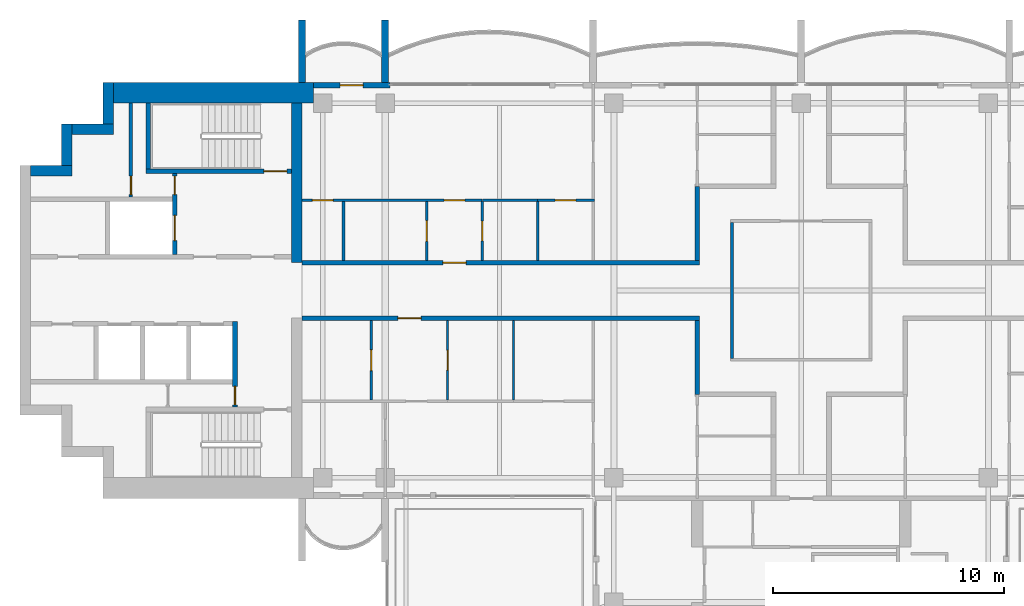
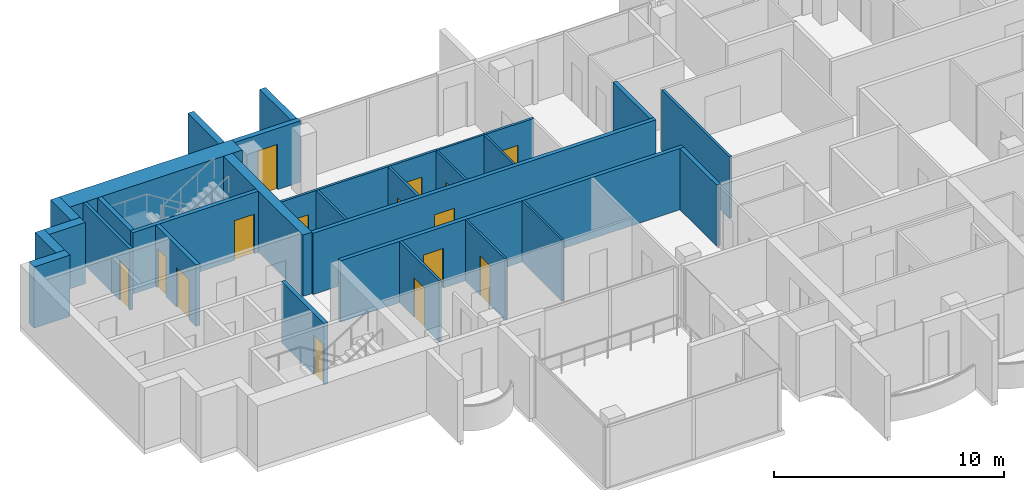
# One storey, part 8 of 16: 29 walls, 15 doors, 15 openings.
"""IFC4 building model written with IfcOpenShell, lengths in metres."""

from ifc_helpers import new_model, si_unit, direction, frame, frame_2d, origin, place, context, subcontext, project, spatial, rectangle, extrude, material, layer, layer_set, type_object, element, fill, save


model = new_model("IFC4")

# Units and contexts
model_context = context("Model", 3, precision=1e-05, world=origin(), true_north=direction((0.0, 1.0)))
body_context = subcontext(model_context, "Body", "Model", "MODEL_VIEW")
ifc_project = project(units=[si_unit("LENGTHUNIT", "METRE"), si_unit("AREAUNIT", "SQUARE_METRE"), si_unit("VOLUMEUNIT", "CUBIC_METRE"), si_unit("PLANEANGLEUNIT", "RADIAN"), si_unit("MASSUNIT", "GRAM", prefix="KILO")], contexts=[model_context])

# Site, building, storey
site_placement = place(None, origin())
site = spatial("IfcSite", under=ifc_project, at=site_placement, CompositionType="ELEMENT")
building_placement = place(site_placement, origin())
building = spatial("IfcBuilding", under=site, at=building_placement, Name="Perihelion Cross Residences", CompositionType="ELEMENT")
storey_placement = place(building_placement, frame((0.0, 0.0, 257.0)))
storey = spatial("IfcBuildingStorey", under=building, at=storey_placement, Name="L65", CompositionType="ELEMENT", Elevation=257.0)

# Wall, opening, door
ifc_material_1 = material(Name="Plasterboard partition")
ifc_layer_1 = layer(ifc_material_1, 0.199951171875)
ifc_layer_set_1 = layer_set([ifc_layer_1], Name="Apartment separation wall 200")
wall_type_1 = type_object("IfcWallType", Name="Apartment separation wall 200", PredefinedType="PARTITIONING", material=ifc_layer_set_1)
wall_1_placement = place(storey_placement, frame((-21.60009765625, 1.199951171875, 0.0), z_axis=(0.0, 0.0, 1.0), x_axis=(1.0, 0.0, 0.0)))
wall_1 = element("IfcWall", 1, at=wall_1_placement, inside=storey, type_object=wall_type_1, Name="Partition L65 W013", PredefinedType="PARTITIONING", context=body_context, shape_type="SweptSolid", body=[
    extrude(rectangle(XDim=17.2001953125, YDim=0.199951171875, at=frame_2d((8.60009765625, 0.0))), origin(), (0.0, 0.0, 1.0), 3.25),
])
opening_1_placement = place(wall_1_placement, frame((6.10009765625, 0.0, 0.0)))
opening_1 = element("IfcOpeningElement", 2, at=opening_1_placement, cuts=wall_1, Name="Opening L65.A42", PredefinedType="OPENING", context=body_context, shape_type="SweptSolid", body=[
    extrude(rectangle(XDim=1.0, YDim=2.10009765625, at=frame_2d((0.5, 1.050048828125))), frame((0.0, 0.10986328125, 0.0), z_axis=(0.0, -1.0, 0.0), x_axis=(1.0, 0.0, 0.0)), (0.0, 0.0, 1.0), 0.219970703125),
])
ifc_material_2 = material(Name="Timber door leaf", Category="wood")
door_type_1 = type_object("IfcDoorType", Name="Flat entrance door 1000 x 2100", OperationType="SINGLE_SWING_LEFT", PredefinedType="DOOR", material=ifc_material_2)
door_1_placement = place(opening_1_placement, origin())
door_1 = element("IfcDoor", 3, at=door_1_placement, inside=storey, type_object=door_type_1, Name="Door L65.A42", OperationType="SINGLE_SWING_RIGHT", OverallHeight=2.10009765625, OverallWidth=1.0, PredefinedType="DOOR", context=body_context, shape_type="SweptSolid", body=[
    extrude(rectangle(XDim=1.0, YDim=2.10009765625, at=frame_2d((0.5, 1.050048828125))), frame((0.0, 0.02490234375, 0.0), z_axis=(0.0, -1.0, 0.0), x_axis=(1.0, 0.0, 0.0)), (0.0, 0.0, 1.0), 0.050048828125),
])
fill(opening_1, door_1)

# Wall
wall_2_placement = place(storey_placement, frame((-4.5, 1.300048828125, 0.0), z_axis=(0.0, 0.0, 1.0), x_axis=(0.0, 1.0, 0.0)))
element("IfcWall", 4, at=wall_2_placement, inside=storey, type_object=wall_type_1, Name="Partition L65 W014", PredefinedType="PARTITIONING", context=body_context, shape_type="SweptSolid", body=[
    extrude(rectangle(XDim=3.199951171875, YDim=0.199951171875, at=frame_2d((1.60009765625, 0.0))), origin(), (0.0, 0.0, 1.0), 3.25),
])

# Wall, opening, door
wall_3_placement = place(storey_placement, frame((-4.39990234375, -1.199951171875, 0.0), z_axis=(0.0, 0.0, 1.0), x_axis=(-1.0, 0.0, 0.0)))
wall_3 = element("IfcWall", 5, at=wall_3_placement, inside=storey, type_object=wall_type_1, Name="Partition L65 W017", PredefinedType="PARTITIONING", context=body_context, shape_type="SweptSolid", body=[
    extrude(rectangle(XDim=17.2001953125, YDim=0.199951171875, at=frame_2d((8.60009765625, 0.0))), origin(), (0.0, 0.0, 1.0), 3.25),
])
opening_2_placement = place(wall_3_placement, frame((12.050048828125, 0.0, 0.0)))
opening_2 = element("IfcOpeningElement", 6, at=opening_2_placement, cuts=wall_3, Name="Opening L65.A43", PredefinedType="OPENING", context=body_context, shape_type="SweptSolid", body=[
    extrude(rectangle(XDim=1.0, YDim=2.10009765625, at=frame_2d((0.5, 1.050048828125))), frame((0.0, 0.10986328125, 0.0), z_axis=(0.0, -1.0, 0.0), x_axis=(1.0, 0.0, 0.0)), (0.0, 0.0, 1.0), 0.219970703125),
])
door_2_placement = place(opening_2_placement, origin())
door_2 = element("IfcDoor", 7, at=door_2_placement, inside=storey, type_object=door_type_1, Name="Door L65.A43", OperationType="SINGLE_SWING_RIGHT", OverallHeight=2.10009765625, OverallWidth=1.0, PredefinedType="DOOR", context=body_context, shape_type="SweptSolid", body=[
    extrude(rectangle(XDim=1.0, YDim=2.10009765625, at=frame_2d((0.5, 1.050048828125))), frame((0.0, 0.02490234375, 0.0), z_axis=(0.0, -1.0, 0.0), x_axis=(1.0, 0.0, 0.0)), (0.0, 0.0, 1.0), 0.050048828125),
])
fill(opening_2, door_2)

# Wall
wall_4_placement = place(storey_placement, frame((-4.5, -4.5, 0.0), z_axis=(0.0, 0.0, 1.0), x_axis=(0.0, 1.0, 0.0)))
element("IfcWall", 8, at=wall_4_placement, inside=storey, type_object=wall_type_1, Name="Partition L65 W018", PredefinedType="PARTITIONING", context=body_context, shape_type="SweptSolid", body=[
    extrude(rectangle(XDim=3.199951171875, YDim=0.199951171875, at=frame_2d((1.60009765625, 0.0))), origin(), (0.0, 0.0, 1.0), 3.25),
])

# Wall, opening, door
ifc_material_3 = material(Name="Concrete C30/37, bronze-clad", Category="concrete")
ifc_layer_2 = layer(ifc_material_3, 0.25)
ifc_layer_set_2 = layer_set([ifc_layer_2], Name="Bronze-clad pier wall 250")
wall_type_2 = type_object("IfcWallType", Name="Bronze-clad pier wall 250", PredefinedType="SOLIDWALL", material=ifc_layer_set_2)
wall_5_placement = place(storey_placement, frame((-17.800048828125, 8.875, 0.0), z_axis=(0.0, 0.0, 1.0), x_axis=(-1.0, 0.0, 0.0)))
wall_5 = element("IfcWall", 9, at=wall_5_placement, inside=storey, type_object=wall_type_2, Name="Wall FW1 L65 west side north bay 2 pier", PredefinedType="SOLIDWALL", context=body_context, shape_type="SweptSolid", body=[
    extrude(rectangle(XDim=3.300048828125, YDim=0.25, at=frame_2d((1.64990234375, 0.0))), origin(), (0.0, 0.0, 1.0), 3.25),
])
opening_3_placement = place(wall_5_placement, frame((1.14990234375, 0.0, 0.0)))
opening_3 = element("IfcOpeningElement", 10, at=opening_3_placement, cuts=wall_5, Name="Opening L65.E06", PredefinedType="OPENING", context=body_context, shape_type="SweptSolid", body=[
    extrude(rectangle(XDim=1.0, YDim=2.39990234375, at=frame_2d((0.5, 1.199951171875))), frame((0.0, 0.135009765625, 0.0), z_axis=(0.0, -1.0, 0.0), x_axis=(1.0, 0.0, 0.0)), (0.0, 0.0, 1.0), 0.27001953125),
])
ifc_material_4 = material(Name="Bronze anodised aluminium, glazed", Category="aluminium")
door_type_2 = type_object("IfcDoorType", Name="Balcony door 1000 x 2400", OperationType="NOTDEFINED", PredefinedType="DOOR", material=ifc_material_4)
door_3_placement = place(opening_3_placement, origin())
door_3 = element("IfcDoor", 11, at=door_3_placement, inside=storey, type_object=door_type_2, Name="Door L65.E06 west side north bay 2", OperationType="SINGLE_SWING_RIGHT", OverallHeight=2.39990234375, OverallWidth=1.0, PredefinedType="DOOR", context=body_context, shape_type="SweptSolid", body=[
    extrude(rectangle(XDim=1.0, YDim=2.39990234375, at=frame_2d((0.5, 1.199951171875))), frame((0.0, 0.02490234375, 0.0), z_axis=(0.0, -1.0, 0.0), x_axis=(1.0, 0.0, 0.0)), (0.0, 0.0, 1.0), 0.050048828125),
])
fill(opening_3, door_3)

# Walls
ifc_material_5 = material(Name="Concrete C60/75", Category="concrete")
ifc_layer_3 = layer(ifc_material_5, 0.449951171875)
ifc_layer_set_3 = layer_set([ifc_layer_3], Name="Core wall, inner 450")
wall_type_3 = type_object("IfcWallType", Name="Core wall, inner 450", PredefinedType="SHEAR", material=ifc_layer_set_3)
wall_6_placement = place(storey_placement, frame((-21.824951171875, 1.199951171875, 0.0), z_axis=(0.0, 0.0, 1.0), x_axis=(0.0, 1.0, 0.0)))
element("IfcWall", 12, at=wall_6_placement, inside=storey, type_object=wall_type_3, Name="West core core wall, inner", PredefinedType="SHEAR", context=body_context, shape_type="SweptSolid", body=[
    extrude(rectangle(XDim=6.900146484375, YDim=0.449951171875, at=frame_2d((3.4501953125, 0.0))), origin(), (0.0, 0.0, 1.0), 3.25),
])
ifc_material_6 = material(Name="Concrete C60/75", Category="concrete")
ifc_layer_4 = layer(ifc_material_6, 0.449951171875)
ifc_layer_set_4 = layer_set([ifc_layer_4], Name="Core wall, outer 450")
wall_type_4 = type_object("IfcWallType", Name="Core wall, outer 450", PredefinedType="SHEAR", material=ifc_layer_set_4)
for number, where, z_axis, x_axis, name in (
    (13, (-33.35009765625, 5.175048828125, 0.0), (0.0, 0.0, 1.0), (1.0, 0.0, 0.0), "West core core wall, outer"),
    (14, (-31.77490234375, 5.39990234375, 0.0), (0.0, 0.0, 1.0), (0.0, 1.0, 0.0), "West core core wall, outer"),
    (15, (-31.550048828125, 6.97509765625, 0.0), (0.0, 0.0, 1.0), (1.0, 0.0, 0.0), "West core core wall, outer"),
    (16, (-29.97509765625, 7.199951171875, 0.0), (0.0, 0.0, 1.0), (0.0, 1.0, 0.0), "West core core wall, outer"),
):
    element("IfcWall", number, at=place(storey_placement, frame(where, z_axis=z_axis, x_axis=x_axis)), inside=storey, type_object=wall_type_4, Name=name, PredefinedType="SHEAR", context=body_context, shape_type="SweptSolid", body=[
        extrude(rectangle(XDim=1.800048828125, YDim=0.449951171875, at=frame_2d((0.89990234375, 0.0))), origin(), (0.0, 0.0, 1.0), 3.25),
    ])
ifc_material_7 = material(Name="Concrete C60/75", Category="concrete")
ifc_layer_5 = layer(ifc_material_7, 0.89990234375)
ifc_layer_set_5 = layer_set([ifc_layer_5], Name="Core wall, outer 900")
wall_type_5 = type_object("IfcWallType", Name="Core wall, outer 900", PredefinedType="SHEAR", material=ifc_layer_set_5)
wall_7_placement = place(storey_placement, frame((-29.75, 8.550048828125, 0.0), z_axis=(0.0, 0.0, 1.0), x_axis=(1.0, 0.0, 0.0)))
element("IfcWall", 17, at=wall_7_placement, inside=storey, type_object=wall_type_5, Name="West core core wall, outer", PredefinedType="SHEAR", context=body_context, shape_type="SweptSolid", body=[
    extrude(rectangle(XDim=8.64990234375, YDim=0.89990234375, at=frame_2d((4.324951171875, 0.0))), origin(), (0.0, 0.0, 1.0), 3.25),
])

# Wall, opening, door
ifc_material_8 = material(Name="Concrete C50/60", Category="concrete")
ifc_layer_6 = layer(ifc_material_8, 0.199951171875)
ifc_layer_set_6 = layer_set([ifc_layer_6], Name="Lobby wall 200")
wall_type_6 = type_object("IfcWallType", Name="Lobby wall 200", PredefinedType="SOLIDWALL", material=ifc_layer_set_6)
wall_8_placement = place(storey_placement, frame((-24.5, -5.050048828125, 0.0), z_axis=(0.0, 0.0, 1.0), x_axis=(0.0, 1.0, 0.0)))
wall_8 = element("IfcWall", 18, at=wall_8_placement, inside=storey, type_object=wall_type_6, Name="West core lobby wall", PredefinedType="SOLIDWALL", context=body_context, shape_type="SweptSolid", body=[
    extrude(rectangle(XDim=3.699951171875, YDim=0.199951171875, at=frame_2d((1.85009765625, 0.0))), origin(), (0.0, 0.0, 1.0), 3.25),
])
opening_4_placement = place(wall_8_placement, frame((0.10009765625, 0.0, 0.0)))
opening_4 = element("IfcOpeningElement", 19, at=opening_4_placement, cuts=wall_8, Name="Opening L65.C22", PredefinedType="OPENING", context=body_context, shape_type="SweptSolid", body=[
    extrude(rectangle(XDim=0.800048828125, YDim=2.10009765625, at=frame_2d((0.39990234375, 1.050048828125))), frame((0.0, 0.10986328125, 0.0), z_axis=(0.0, -1.0, 0.0), x_axis=(1.0, 0.0, 0.0)), (0.0, 0.0, 1.0), 0.219970703125),
])
ifc_material_9 = material(Name="Steel, powder coated", Category="steel")
door_type_3 = type_object("IfcDoorType", Name="Riser door 800", OperationType="SINGLE_SWING_LEFT", PredefinedType="DOOR", material=ifc_material_9)
door_4_placement = place(opening_4_placement, origin())
door_4 = element("IfcDoor", 20, at=door_4_placement, inside=storey, type_object=door_type_3, Name="West core riser door", OperationType="SINGLE_SWING_LEFT", OverallHeight=2.10009765625, OverallWidth=0.800048828125, PredefinedType="DOOR", context=body_context, shape_type="SweptSolid", body=[
    extrude(rectangle(XDim=0.800048828125, YDim=2.10009765625, at=frame_2d((0.39990234375, 1.050048828125))), frame((0.0, 0.02490234375, 0.0), z_axis=(0.0, -1.0, 0.0), x_axis=(1.0, 0.0, 0.0)), (0.0, 0.0, 1.0), 0.050048828125),
])
fill(opening_4, door_4)

# Wall
ifc_material_10 = material(Name="Plasterboard partition")
ifc_layer_7 = layer(ifc_material_10, 0.1201171875)
ifc_layer_set_7 = layer_set([ifc_layer_7], Name="Partition wall 120")
wall_type_7 = type_object("IfcWallType", Name="Partition wall 120", PredefinedType="PARTITIONING", material=ifc_layer_set_7)
wall_9_placement = place(storey_placement, frame((-3.0, 2.93994140625, 0.0), z_axis=(0.0, 0.0, 1.0), x_axis=(0.0, -1.0, 0.0)))
element("IfcWall", 21, at=wall_9_placement, inside=storey, type_object=wall_type_7, Name="Partition L65 W004", PredefinedType="PARTITIONING", context=body_context, shape_type="SweptSolid", body=[
    extrude(rectangle(XDim=5.8798828125, YDim=0.1201171875, at=frame_2d((2.93994140625, 0.0))), origin(), (0.0, 0.0, 1.0), 3.25),
])

# Wall, opening, door
wall_10_placement = place(storey_placement, frame((-11.39990234375, 3.89990234375, 0.0), z_axis=(0.0, 0.0, 1.0), x_axis=(1.0, 0.0, 0.0)))
wall_10 = element("IfcWall", 22, at=wall_10_placement, inside=storey, type_object=wall_type_7, Name="Partition L65 W044", PredefinedType="PARTITIONING", context=body_context, shape_type="SweptSolid", body=[
    extrude(rectangle(XDim=2.4599609375, YDim=0.1201171875, at=frame_2d((1.22998046875, 0.0))), origin(), (0.0, 0.0, 1.0), 3.25),
])
opening_5_placement = place(wall_10_placement, frame((0.75, 0.0, 0.0)))
opening_5 = element("IfcOpeningElement", 23, at=opening_5_placement, cuts=wall_10, Name="Opening L65.A25", PredefinedType="OPENING", context=body_context, shape_type="SweptSolid", body=[
    extrude(rectangle(XDim=0.89990234375, YDim=2.10009765625, at=frame_2d((0.449951171875, 1.050048828125))), frame((0.0, 0.070068359375, 0.0), z_axis=(0.0, -1.0, 0.0), x_axis=(1.0, 0.0, 0.0)), (0.0, 0.0, 1.0), 0.14013671875),
])
ifc_material_11 = material(Name="Timber door leaf", Category="wood")
door_type_4 = type_object("IfcDoorType", Name="Interior room door 900 x 2100", OperationType="SINGLE_SWING_LEFT", PredefinedType="DOOR", material=ifc_material_11)
door_5_placement = place(opening_5_placement, origin())
door_5 = element("IfcDoor", 24, at=door_5_placement, inside=storey, type_object=door_type_4, Name="Door L65.A25", OperationType="SINGLE_SWING_RIGHT", OverallHeight=2.10009765625, OverallWidth=0.89990234375, PredefinedType="DOOR", context=body_context, shape_type="SweptSolid", body=[
    extrude(rectangle(XDim=0.89990234375, YDim=2.10009765625, at=frame_2d((0.449951171875, 1.050048828125))), frame((0.0, 0.02490234375, 0.0), z_axis=(0.0, -1.0, 0.0), x_axis=(1.0, 0.0, 0.0)), (0.0, 0.0, 1.0), 0.050048828125),
])
fill(opening_5, door_5)

wall_11_placement = place(storey_placement, frame((-16.199951171875, 1.300048828125, 0.0), z_axis=(0.0, 0.0, 1.0), x_axis=(0.0, 1.0, 0.0)))
wall_11 = element("IfcWall", 25, at=wall_11_placement, inside=storey, type_object=wall_type_7, Name="Partition L65 W048", PredefinedType="PARTITIONING", context=body_context, shape_type="SweptSolid", body=[
    extrude(rectangle(XDim=2.5400390625, YDim=0.1201171875, at=frame_2d((1.27001953125, 0.0))), origin(), (0.0, 0.0, 1.0), 3.25),
])
opening_6_placement = place(wall_11_placement, frame((0.820068359375, 0.0, 0.0)))
opening_6 = element("IfcOpeningElement", 26, at=opening_6_placement, cuts=wall_11, Name="Opening L65.A21", PredefinedType="OPENING", context=body_context, shape_type="SweptSolid", body=[
    extrude(rectangle(XDim=0.89990234375, YDim=2.10009765625, at=frame_2d((0.449951171875, 1.050048828125))), frame((0.0, 0.070068359375, 0.0), z_axis=(0.0, -1.0, 0.0), x_axis=(1.0, 0.0, 0.0)), (0.0, 0.0, 1.0), 0.14013671875),
])
door_6_placement = place(opening_6_placement, origin())
door_6 = element("IfcDoor", 27, at=door_6_placement, inside=storey, type_object=door_type_4, Name="Door L65.A21", OperationType="SINGLE_SWING_RIGHT", OverallHeight=2.10009765625, OverallWidth=0.89990234375, PredefinedType="DOOR", context=body_context, shape_type="SweptSolid", body=[
    extrude(rectangle(XDim=0.89990234375, YDim=2.10009765625, at=frame_2d((0.449951171875, 1.050048828125))), frame((0.0, 0.02490234375, 0.0), z_axis=(0.0, -1.0, 0.0), x_axis=(1.0, 0.0, 0.0)), (0.0, 0.0, 1.0), 0.050048828125),
])
fill(opening_6, door_6)

# Wall, openings, doors
wall_12_placement = place(storey_placement, frame((-21.60009765625, 3.89990234375, 0.0), z_axis=(0.0, 0.0, 1.0), x_axis=(1.0, 0.0, 0.0)))
wall_12 = element("IfcWall", 28, at=wall_12_placement, inside=storey, type_object=wall_type_7, Name="Partition L65 W049", PredefinedType="PARTITIONING", context=body_context, shape_type="SweptSolid", body=[
    extrude(rectangle(XDim=7.800048828125, YDim=0.1201171875, at=frame_2d((3.89990234375, 0.0))), origin(), (0.0, 0.0, 1.0), 3.25),
])
opening_7_placement = place(wall_12_placement, frame((0.449951171875, 0.0, 0.0)))
opening_7 = element("IfcOpeningElement", 29, at=opening_7_placement, cuts=wall_12, Name="Opening L65.A22", PredefinedType="OPENING", context=body_context, shape_type="SweptSolid", body=[
    extrude(rectangle(XDim=0.89990234375, YDim=2.10009765625, at=frame_2d((0.449951171875, 1.050048828125))), frame((0.0, 0.070068359375, 0.0), z_axis=(0.0, -1.0, 0.0), x_axis=(1.0, 0.0, 0.0)), (0.0, 0.0, 1.0), 0.14013671875),
])
opening_8_placement = place(wall_12_placement, frame((6.14990234375, 0.0, 0.0)))
opening_8 = element("IfcOpeningElement", 30, at=opening_8_placement, cuts=wall_12, Name="Opening L65.A24", PredefinedType="OPENING", context=body_context, shape_type="SweptSolid", body=[
    extrude(rectangle(XDim=0.89990234375, YDim=2.10009765625, at=frame_2d((0.449951171875, 1.050048828125))), frame((0.0, 0.070068359375, 0.0), z_axis=(0.0, -1.0, 0.0), x_axis=(1.0, 0.0, 0.0)), (0.0, 0.0, 1.0), 0.14013671875),
])
door_7_placement = place(opening_7_placement, origin())
door_7 = element("IfcDoor", 31, at=door_7_placement, inside=storey, type_object=door_type_4, Name="Door L65.A22", OperationType="SINGLE_SWING_LEFT", OverallHeight=2.10009765625, OverallWidth=0.89990234375, PredefinedType="DOOR", context=body_context, shape_type="SweptSolid", body=[
    extrude(rectangle(XDim=0.89990234375, YDim=2.10009765625, at=frame_2d((0.449951171875, 1.050048828125))), frame((0.0, 0.02490234375, 0.0), z_axis=(0.0, -1.0, 0.0), x_axis=(1.0, 0.0, 0.0)), (0.0, 0.0, 1.0), 0.050048828125),
])
fill(opening_7, door_7)
door_8_placement = place(opening_8_placement, origin())
door_8 = element("IfcDoor", 32, at=door_8_placement, inside=storey, type_object=door_type_4, Name="Door L65.A24", OperationType="SINGLE_SWING_LEFT", OverallHeight=2.10009765625, OverallWidth=0.89990234375, PredefinedType="DOOR", context=body_context, shape_type="SweptSolid", body=[
    extrude(rectangle(XDim=0.89990234375, YDim=2.10009765625, at=frame_2d((0.449951171875, 1.050048828125))), frame((0.0, 0.02490234375, 0.0), z_axis=(0.0, -1.0, 0.0), x_axis=(1.0, 0.0, 0.0)), (0.0, 0.0, 1.0), 0.050048828125),
])
fill(opening_8, door_8)

# Wall
wall_13_placement = place(storey_placement, frame((-19.800048828125, 1.300048828125, 0.0), z_axis=(0.0, 0.0, 1.0), x_axis=(0.0, 1.0, 0.0)))
element("IfcWall", 33, at=wall_13_placement, inside=storey, type_object=wall_type_7, Name="Partition L65 W050", PredefinedType="PARTITIONING", context=body_context, shape_type="SweptSolid", body=[
    extrude(rectangle(XDim=2.5400390625, YDim=0.1201171875, at=frame_2d((1.27001953125, 0.0))), origin(), (0.0, 0.0, 1.0), 3.25),
])

# Wall, opening, door
wall_14_placement = place(storey_placement, frame((-18.60009765625, -4.739990234375, 0.0), z_axis=(0.0, 0.0, 1.0), x_axis=(0.0, 1.0, 0.0)))
wall_14 = element("IfcWall", 34, at=wall_14_placement, inside=storey, type_object=wall_type_7, Name="Partition L65 W059", PredefinedType="PARTITIONING", context=body_context, shape_type="SweptSolid", body=[
    extrude(rectangle(XDim=3.43994140625, YDim=0.1201171875, at=frame_2d((1.719970703125, 0.0))), origin(), (0.0, 0.0, 1.0), 3.25),
])
opening_9_placement = place(wall_14_placement, frame((1.27001953125, 0.0, 0.0)))
opening_9 = element("IfcOpeningElement", 35, at=opening_9_placement, cuts=wall_14, Name="Opening L65.A28", PredefinedType="OPENING", context=body_context, shape_type="SweptSolid", body=[
    extrude(rectangle(XDim=0.89990234375, YDim=2.10009765625, at=frame_2d((0.449951171875, 1.050048828125))), frame((0.0, 0.070068359375, 0.0), z_axis=(0.0, -1.0, 0.0), x_axis=(1.0, 0.0, 0.0)), (0.0, 0.0, 1.0), 0.14013671875),
])
door_9_placement = place(opening_9_placement, origin())
door_9 = element("IfcDoor", 36, at=door_9_placement, inside=storey, type_object=door_type_4, Name="Door L65.A28", OperationType="SINGLE_SWING_RIGHT", OverallHeight=2.10009765625, OverallWidth=0.89990234375, PredefinedType="DOOR", context=body_context, shape_type="SweptSolid", body=[
    extrude(rectangle(XDim=0.89990234375, YDim=2.10009765625, at=frame_2d((0.449951171875, 1.050048828125))), frame((0.0, 0.02490234375, 0.0), z_axis=(0.0, -1.0, 0.0), x_axis=(1.0, 0.0, 0.0)), (0.0, 0.0, 1.0), 0.050048828125),
])
fill(opening_9, door_9)

# Walls
ifc_material_12 = material(Name="Precast concrete C50/60", Category="concrete")
ifc_layer_8 = layer(ifc_material_12, 0.300048828125)
ifc_layer_set_8 = layer_set([ifc_layer_8], Name="Precast concrete C50/60 blade wall 300")
wall_type_8 = type_object("IfcWallType", Name="Precast concrete C50/60 blade wall 300", PredefinedType="SOLIDWALL", material=ifc_layer_set_8)
for number, where, z_axis, x_axis, name in (
    (37, (-21.60009765625, 9.0, 0.0), (0.0, 0.0, 1.0), (0.0, 1.0, 0.0), "Wall BL1 L65 no. 4"),
    (38, (-18.0, 9.0, 0.0), (0.0, 0.0, 1.0), (0.0, 1.0, 0.0), "Wall BL1 L65 no. 2"),
):
    element("IfcWall", number, at=place(storey_placement, frame(where, z_axis=z_axis, x_axis=x_axis)), inside=storey, type_object=wall_type_8, Name=name, PredefinedType="SOLIDWALL", context=body_context, shape_type="SweptSolid", body=[
        extrude(rectangle(XDim=2.699951171875, YDim=0.300048828125, at=frame_2d((1.35009765625, 0.0))), origin(), (0.0, 0.0, 1.0), 3.25),
    ])

# Wall, opening, door
ifc_material_13 = material(Name="Fire-rated board on steel stud", Category="steel")
ifc_layer_9 = layer(ifc_material_13, 0.14990234375)
ifc_layer_set_9 = layer_set([ifc_layer_9], Name="Riser wall 150")
wall_type_9 = type_object("IfcWallType", Name="Riser wall 150", PredefinedType="PARTITIONING", material=ifc_layer_set_9)
wall_15_placement = place(storey_placement, frame((-29.0, 4.050048828125, 0.0), z_axis=(0.0, 0.0, 1.0), x_axis=(0.0, 1.0, 0.0)))
wall_15 = element("IfcWall", 39, at=wall_15_placement, inside=storey, type_object=wall_type_9, Name="West core riser wall", PredefinedType="PARTITIONING", context=body_context, shape_type="SweptSolid", body=[
    extrude(rectangle(XDim=4.050048828125, YDim=0.14990234375, at=frame_2d((2.02490234375, 0.0))), origin(), (0.0, 0.0, 1.0), 3.25),
])
opening_10_placement = place(wall_15_placement, frame((0.10009765625, 0.0, 0.0)))
opening_10 = element("IfcOpeningElement", 40, at=opening_10_placement, cuts=wall_15, Name="Opening L65.C26", PredefinedType="OPENING", context=body_context, shape_type="SweptSolid", body=[
    extrude(rectangle(XDim=0.800048828125, YDim=2.10009765625, at=frame_2d((0.39990234375, 1.050048828125))), frame((0.0, 0.0849609375, 0.0), z_axis=(0.0, -1.0, 0.0), x_axis=(1.0, 0.0, 0.0)), (0.0, 0.0, 1.0), 0.169921875),
])
door_10_placement = place(opening_10_placement, origin())
door_10 = element("IfcDoor", 41, at=door_10_placement, inside=storey, type_object=door_type_3, Name="West core riser door", OperationType="SINGLE_SWING_LEFT", OverallHeight=2.10009765625, OverallWidth=0.800048828125, PredefinedType="DOOR", context=body_context, shape_type="SweptSolid", body=[
    extrude(rectangle(XDim=0.800048828125, YDim=2.10009765625, at=frame_2d((0.39990234375, 1.050048828125))), frame((0.0, 0.02490234375, 0.0), z_axis=(0.0, -1.0, 0.0), x_axis=(1.0, 0.0, 0.0)), (0.0, 0.0, 1.0), 0.050048828125),
])
fill(opening_10, door_10)

# Wall, openings, doors
ifc_material_14 = material(Name="Concrete C50/60", Category="concrete")
ifc_layer_10 = layer(ifc_material_14, 0.199951171875)
ifc_layer_set_10 = layer_set([ifc_layer_10], Name="Shaft wall 200")
wall_type_10 = type_object("IfcWallType", Name="Shaft wall 200", PredefinedType="SOLIDWALL", material=ifc_layer_set_10)
wall_16_placement = place(storey_placement, frame((-27.10009765625, 1.550048828125, 0.0), z_axis=(0.0, 0.0, 1.0), x_axis=(0.0, 1.0, 0.0)))
wall_16 = element("IfcWall", 42, at=wall_16_placement, inside=storey, type_object=wall_type_10, Name="West core shaft wall", PredefinedType="SOLIDWALL", context=body_context, shape_type="SweptSolid", body=[
    extrude(rectangle(XDim=3.5, YDim=0.199951171875, at=frame_2d((1.75, 0.0))), origin(), (0.0, 0.0, 1.0), 3.25),
])
opening_11_placement = place(wall_16_placement, frame((0.60009765625, 0.0, 0.0)))
opening_11 = element("IfcOpeningElement", 43, at=opening_11_placement, cuts=wall_16, Name="Opening L65.C16", PredefinedType="OPENING", context=body_context, shape_type="SweptSolid", body=[
    extrude(rectangle(XDim=1.10009765625, YDim=2.10009765625, at=frame_2d((0.550048828125, 1.050048828125))), frame((0.0, 0.10986328125, 0.0), z_axis=(0.0, -1.0, 0.0), x_axis=(1.0, 0.0, 0.0)), (0.0, 0.0, 1.0), 0.219970703125),
])
opening_12_placement = place(wall_16_placement, frame((2.60009765625, 0.0, 0.0)))
opening_12 = element("IfcOpeningElement", 44, at=opening_12_placement, cuts=wall_16, Name="Opening L65.C24", PredefinedType="OPENING", context=body_context, shape_type="SweptSolid", body=[
    extrude(rectangle(XDim=0.800048828125, YDim=2.10009765625, at=frame_2d((0.39990234375, 1.050048828125))), frame((0.0, 0.10986328125, 0.0), z_axis=(0.0, -1.0, 0.0), x_axis=(1.0, 0.0, 0.0)), (0.0, 0.0, 1.0), 0.219970703125),
])
ifc_material_15 = material(Name="Stainless steel", Category="steel")
door_type_5 = type_object("IfcDoorType", Name="Landing door, firefighting lift 1100", OperationType="DOUBLE_DOOR_SLIDING", PredefinedType="DOOR", material=ifc_material_15)
door_11_placement = place(opening_11_placement, origin())
door_11 = element("IfcDoor", 45, at=door_11_placement, inside=storey, type_object=door_type_5, Name="Landing door, West core firefighting and service lift", OperationType="DOUBLE_DOOR_SLIDING", OverallHeight=2.10009765625, OverallWidth=1.10009765625, PredefinedType="DOOR", context=body_context, shape_type="SweptSolid", body=[
    extrude(rectangle(XDim=1.10009765625, YDim=2.10009765625, at=frame_2d((0.550048828125, 1.050048828125))), frame((0.0, 0.02490234375, 0.0), z_axis=(0.0, -1.0, 0.0), x_axis=(1.0, 0.0, 0.0)), (0.0, 0.0, 1.0), 0.050048828125),
])
fill(opening_11, door_11)
door_12_placement = place(opening_12_placement, origin())
door_12 = element("IfcDoor", 46, at=door_12_placement, inside=storey, type_object=door_type_3, Name="West core riser door", OperationType="SINGLE_SWING_LEFT", OverallHeight=2.10009765625, OverallWidth=0.800048828125, PredefinedType="DOOR", context=body_context, shape_type="SweptSolid", body=[
    extrude(rectangle(XDim=0.800048828125, YDim=2.10009765625, at=frame_2d((0.39990234375, 1.050048828125))), frame((0.0, 0.02490234375, 0.0), z_axis=(0.0, -1.0, 0.0), x_axis=(1.0, 0.0, 0.0)), (0.0, 0.0, 1.0), 0.050048828125),
])
fill(opening_12, door_12)

# Wall, opening, door
ifc_material_16 = material(Name="Concrete C50/60", Category="concrete")
ifc_layer_11 = layer(ifc_material_16, 0.199951171875)
ifc_layer_set_11 = layer_set([ifc_layer_11], Name="Stair wall 200")
wall_type_11 = type_object("IfcWallType", Name="Stair wall 200", PredefinedType="SOLIDWALL", material=ifc_layer_set_11)
wall_17_placement = place(storey_placement, frame((-28.35009765625, 5.14990234375, 0.0), z_axis=(0.0, 0.0, 1.0), x_axis=(1.0, 0.0, 0.0)))
wall_17 = element("IfcWall", 47, at=wall_17_placement, inside=storey, type_object=wall_type_11, Name="West core stair wall", PredefinedType="SOLIDWALL", context=body_context, shape_type="SweptSolid", body=[
    extrude(rectangle(XDim=6.300048828125, YDim=0.199951171875, at=frame_2d((3.14990234375, 0.0))), origin(), (0.0, 0.0, 1.0), 3.25),
])
opening_13_placement = place(wall_17_placement, frame((5.10009765625, 0.0, 0.0)))
opening_13 = element("IfcOpeningElement", 48, at=opening_13_placement, cuts=wall_17, Name="Opening L65.C20", PredefinedType="OPENING", context=body_context, shape_type="SweptSolid", body=[
    extrude(rectangle(XDim=1.0, YDim=2.10009765625, at=frame_2d((0.5, 1.050048828125))), frame((0.0, 0.10986328125, 0.0), z_axis=(0.0, -1.0, 0.0), x_axis=(1.0, 0.0, 0.0)), (0.0, 0.0, 1.0), 0.219970703125),
])
ifc_material_17 = material(Name="Steel, powder coated", Category="steel")
door_type_6 = type_object("IfcDoorType", Name="Stair door 1000", OperationType="SINGLE_SWING_LEFT", PredefinedType="DOOR", material=ifc_material_17)
door_13_placement = place(opening_13_placement, origin())
door_13 = element("IfcDoor", 49, at=door_13_placement, inside=storey, type_object=door_type_6, Name="West core stair door", OperationType="SINGLE_SWING_LEFT", OverallHeight=2.10009765625, OverallWidth=1.0, PredefinedType="DOOR", context=body_context, shape_type="SweptSolid", body=[
    extrude(rectangle(XDim=1.0, YDim=2.10009765625, at=frame_2d((0.5, 1.050048828125))), frame((0.0, 0.02490234375, 0.0), z_axis=(0.0, -1.0, 0.0), x_axis=(1.0, 0.0, 0.0)), (0.0, 0.0, 1.0), 0.050048828125),
])
fill(opening_13, door_13)

# Walls
wall_18_placement = place(storey_placement, frame((-28.25, 5.25, 0.0), z_axis=(0.0, 0.0, 1.0), x_axis=(0.0, 1.0, 0.0)))
element("IfcWall", 50, at=wall_18_placement, inside=storey, type_object=wall_type_11, Name="West core stair wall", PredefinedType="SOLIDWALL", context=body_context, shape_type="SweptSolid", body=[
    extrude(rectangle(XDim=2.85009765625, YDim=0.199951171875, at=frame_2d((1.425048828125, 0.0))), origin(), (0.0, 0.0, 1.0), 3.25),
])
ifc_material_18 = material(Name="Plasterboard partition")
ifc_layer_12 = layer(ifc_material_18, 0.10009765625)
ifc_layer_set_12 = layer_set([ifc_layer_12], Name="Wet room wall 100")
wall_type_12 = type_object("IfcWallType", Name="Wet room wall 100", PredefinedType="PARTITIONING", material=ifc_layer_set_12)
wall_19_placement = place(storey_placement, frame((-11.39990234375, 1.300048828125, 0.0), z_axis=(0.0, 0.0, 1.0), x_axis=(0.0, 1.0, 0.0)))
element("IfcWall", 51, at=wall_19_placement, inside=storey, type_object=wall_type_12, Name="Partition L65 W043", PredefinedType="PARTITIONING", context=body_context, shape_type="SweptSolid", body=[
    extrude(rectangle(XDim=2.5400390625, YDim=0.10009765625, at=frame_2d((1.27001953125, 0.0))), origin(), (0.0, 0.0, 1.0), 3.25),
])

# Wall, opening, door
wall_20_placement = place(storey_placement, frame((-13.800048828125, 1.300048828125, 0.0), z_axis=(0.0, 0.0, 1.0), x_axis=(0.0, 1.0, 0.0)))
wall_20 = element("IfcWall", 52, at=wall_20_placement, inside=storey, type_object=wall_type_12, Name="Partition L65 W046", PredefinedType="PARTITIONING", context=body_context, shape_type="SweptSolid", body=[
    extrude(rectangle(XDim=2.5400390625, YDim=0.10009765625, at=frame_2d((1.27001953125, 0.0))), origin(), (0.0, 0.0, 1.0), 3.25),
])
opening_14_placement = place(wall_20_placement, frame((0.844970703125, 0.0, 0.0)))
opening_14 = element("IfcOpeningElement", 53, at=opening_14_placement, cuts=wall_20, Name="Opening L65.A18", PredefinedType="OPENING", context=body_context, shape_type="SweptSolid", body=[
    extrude(rectangle(XDim=0.85009765625, YDim=2.10009765625, at=frame_2d((0.425048828125, 1.050048828125))), frame((0.0, 0.06005859375, 0.0), z_axis=(0.0, -1.0, 0.0), x_axis=(1.0, 0.0, 0.0)), (0.0, 0.0, 1.0), 0.1201171875),
])
ifc_material_19 = material(Name="Timber door leaf", Category="wood")
door_type_7 = type_object("IfcDoorType", Name="Interior bathroom door 850 x 2100", OperationType="SINGLE_SWING_LEFT", PredefinedType="DOOR", material=ifc_material_19)
door_14_placement = place(opening_14_placement, origin())
door_14 = element("IfcDoor", 54, at=door_14_placement, inside=storey, type_object=door_type_7, Name="Door L65.A18", OperationType="SINGLE_SWING_LEFT", OverallHeight=2.10009765625, OverallWidth=0.85009765625, PredefinedType="DOOR", context=body_context, shape_type="SweptSolid", body=[
    extrude(rectangle(XDim=0.85009765625, YDim=2.10009765625, at=frame_2d((0.425048828125, 1.050048828125))), frame((0.0, 0.02490234375, 0.0), z_axis=(0.0, -1.0, 0.0), x_axis=(1.0, 0.0, 0.0)), (0.0, 0.0, 1.0), 0.050048828125),
])
fill(opening_14, door_14)

# Walls
wall_21_placement = place(storey_placement, frame((-13.800048828125, 3.89990234375, 0.0), z_axis=(0.0, 0.0, 1.0), x_axis=(1.0, 0.0, 0.0)))
element("IfcWall", 55, at=wall_21_placement, inside=storey, type_object=wall_type_12, Name="Partition L65 W047", PredefinedType="PARTITIONING", context=body_context, shape_type="SweptSolid", body=[
    extrude(rectangle(XDim=2.400146484375, YDim=0.10009765625, at=frame_2d((1.2001953125, 0.0))), origin(), (0.0, 0.0, 1.0), 3.25),
])
wall_22_placement = place(storey_placement, frame((-12.449951171875, -4.739990234375, 0.0), z_axis=(0.0, 0.0, 1.0), x_axis=(0.0, 1.0, 0.0)))
element("IfcWall", 56, at=wall_22_placement, inside=storey, type_object=wall_type_12, Name="Partition L65 W054", PredefinedType="PARTITIONING", context=body_context, shape_type="SweptSolid", body=[
    extrude(rectangle(XDim=3.43994140625, YDim=0.10009765625, at=frame_2d((1.719970703125, 0.0))), origin(), (0.0, 0.0, 1.0), 3.25),
])

# Wall, opening, door
wall_23_placement = place(storey_placement, frame((-15.300048828125, -4.739990234375, 0.0), z_axis=(0.0, 0.0, 1.0), x_axis=(0.0, 1.0, 0.0)))
wall_23 = element("IfcWall", 57, at=wall_23_placement, inside=storey, type_object=wall_type_12, Name="Partition L65 W057", PredefinedType="PARTITIONING", context=body_context, shape_type="SweptSolid", body=[
    extrude(rectangle(XDim=3.43994140625, YDim=0.10009765625, at=frame_2d((1.719970703125, 0.0))), origin(), (0.0, 0.0, 1.0), 3.25),
])
opening_15_placement = place(wall_23_placement, frame((1.294921875, 0.0, 0.0)))
opening_15 = element("IfcOpeningElement", 58, at=opening_15_placement, cuts=wall_23, Name="Opening L65.A26", PredefinedType="OPENING", context=body_context, shape_type="SweptSolid", body=[
    extrude(rectangle(XDim=0.85009765625, YDim=2.10009765625, at=frame_2d((0.425048828125, 1.050048828125))), frame((0.0, 0.06005859375, 0.0), z_axis=(0.0, -1.0, 0.0), x_axis=(1.0, 0.0, 0.0)), (0.0, 0.0, 1.0), 0.1201171875),
])
door_15_placement = place(opening_15_placement, origin())
door_15 = element("IfcDoor", 59, at=door_15_placement, inside=storey, type_object=door_type_7, Name="Door L65.A26", OperationType="SINGLE_SWING_RIGHT", OverallHeight=2.10009765625, OverallWidth=0.85009765625, PredefinedType="DOOR", context=body_context, shape_type="SweptSolid", body=[
    extrude(rectangle(XDim=0.85009765625, YDim=2.10009765625, at=frame_2d((0.425048828125, 1.050048828125))), frame((0.0, 0.02490234375, 0.0), z_axis=(0.0, -1.0, 0.0), x_axis=(1.0, 0.0, 0.0)), (0.0, 0.0, 1.0), 0.050048828125),
])
fill(opening_15, door_15)

save(model, "model.ifc")
